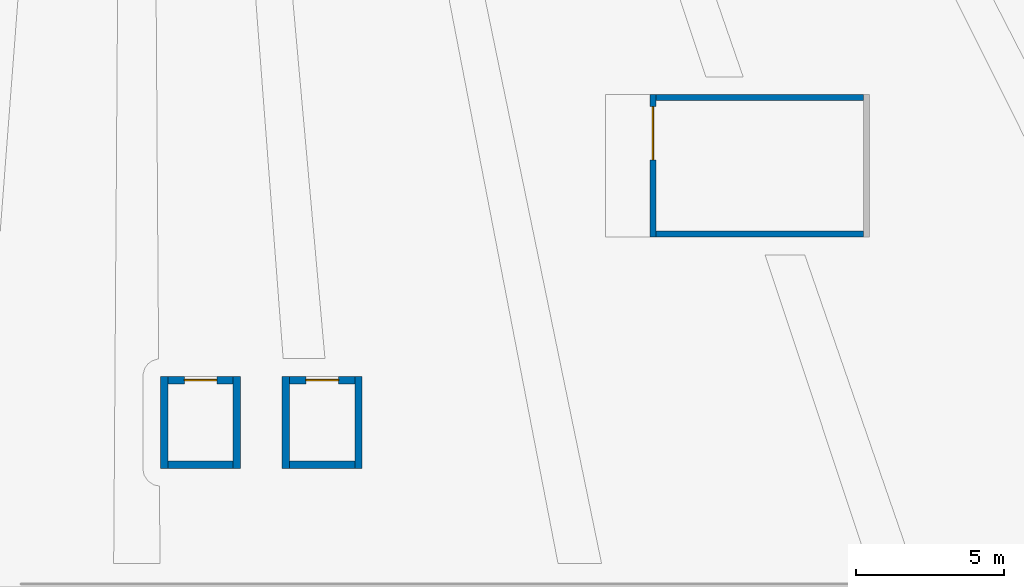
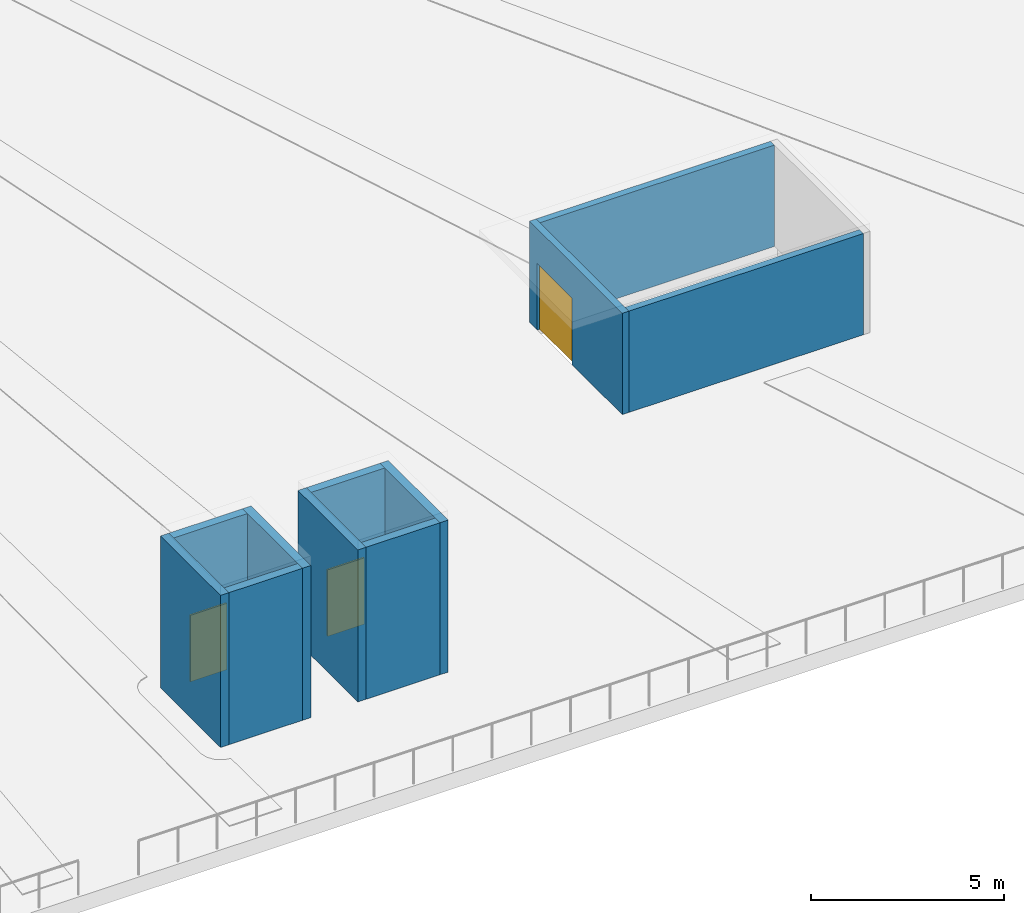
# One storey, part 102 of 210: 11 walls, 3 doors, 3 openings.
"""IFC4 building model written with IfcOpenShell, lengths in metres."""

from ifc_helpers import new_model, si_unit, direction, frame, frame_2d, origin, place, context, subcontext, project, spatial, rectangle, extrude, material, layer, layer_set, type_object, element, fill, save


model = new_model("IFC4")

# Units and contexts
model_context = context("Model", 3, precision=1e-05, world=origin(), true_north=direction((0.0, 1.0)))
body_context = subcontext(model_context, "Body", "Model", "MODEL_VIEW")
ifc_project = project(units=[si_unit("LENGTHUNIT", "METRE"), si_unit("AREAUNIT", "SQUARE_METRE"), si_unit("VOLUMEUNIT", "CUBIC_METRE"), si_unit("PLANEANGLEUNIT", "RADIAN"), si_unit("MASSUNIT", "GRAM", prefix="KILO")], contexts=[model_context])

# Site, building, storey
site_placement = place(None, origin())
site = spatial("IfcSite", under=ifc_project, at=site_placement, CompositionType="ELEMENT")
building_placement = place(site_placement, origin())
building = spatial("IfcBuilding", under=site, at=building_placement, Name="Rain Tree Exposition and Congress Centre", CompositionType="ELEMENT")
storey_placement = place(building_placement, origin())
storey = spatial("IfcBuildingStorey", under=building, at=storey_placement, Name="L00", CompositionType="ELEMENT", Elevation=0.0)

# Wall, opening, door
ifc_material_1 = material(Name="Concrete C40/50", Category="concrete")
ifc_layer_1 = layer(ifc_material_1, 0.199951171875)
ifc_layer_set_1 = layer_set([ifc_layer_1], Name="Concrete C40/50")
wall_type_1 = type_object("IfcWallType", Name="Exit stair wall 200", PredefinedType="PARTITIONING", material=ifc_layer_set_1)
wall_1_placement = place(storey_placement, frame((118.199951171875, 11.800048828125, 0.0), z_axis=(0.0, 0.0, 1.0), x_axis=(0.0, 1.0, 0.0)))
wall_1 = element("IfcWall", 1, at=wall_1_placement, inside=storey, type_object=wall_type_1, Name="Exit stair E2 wall west", PredefinedType="SOLIDWALL", context=body_context, shape_type="SweptSolid", body=[
    extrude(rectangle(XDim=4.800048828125, YDim=0.199951171875, at=frame_2d((2.39990234375, 0.0))), origin(), (0.0, 0.0, 1.0), 3.199951171875),
])
opening_1_placement = place(wall_1_placement, frame((2.60009765625, 0.0, 0.0)))
opening_1 = element("IfcOpeningElement", 2, at=opening_1_placement, cuts=wall_1, Name="Opening DS132", PredefinedType="OPENING", context=body_context, shape_type="SweptSolid", body=[
    extrude(rectangle(XDim=1.800048828125, YDim=2.10009765625, at=frame_2d((0.89990234375, 1.050048828125))), frame((0.0, 0.10009765625, 0.0), z_axis=(0.0, -1.0, 0.0), x_axis=(1.0, 0.0, 0.0)), (0.0, 0.0, 1.0), 0.199951171875),
])
ifc_material_2 = material(Name="Powder-coated steel", Category="steel")
door_type_1 = type_object("IfcDoorType", Name="Exit stair deck door 1800x2100", OperationType="NOTDEFINED", PredefinedType="DOOR", material=ifc_material_2)
door_1_placement = place(opening_1_placement, origin())
door_1 = element("IfcDoor", 3, at=door_1_placement, inside=storey, type_object=door_type_1, Name="Exit stair E2 door L00", OperationType="SINGLE_SWING_LEFT", OverallHeight=2.10009765625, OverallWidth=1.800048828125, PredefinedType="DOOR", context=body_context, shape_type="SweptSolid", body=[
    extrude(rectangle(XDim=1.800048828125, YDim=2.10009765625, at=frame_2d((0.89990234375, 1.050048828125))), frame((0.0, 0.02490234375, 0.0), z_axis=(0.0, -1.0, 0.0), x_axis=(1.0, 0.0, 0.0)), (0.0, 0.0, 1.0), 0.050048828125),
])
fill(opening_1, door_1)

# Walls
for number, where, z_axis, x_axis, name in (
    (4, (118.300048828125, 11.89990234375, 0.0), (0.0, 0.0, 1.0), (1.0, 0.0, 0.0), "Exit stair E2 wall south"),
    (5, (118.300048828125, 16.5, 0.0), (0.0, 0.0, 1.0), (1.0, 0.0, 0.0), "Exit stair E2 wall north"),
):
    element("IfcWall", number, at=place(storey_placement, frame(where, z_axis=z_axis, x_axis=x_axis)), inside=storey, type_object=wall_type_1, Name=name, PredefinedType="SOLIDWALL", context=body_context, shape_type="SweptSolid", body=[
        extrude(rectangle(XDim=7.0, YDim=0.199951171875, at=frame_2d((3.5, 0.0))), origin(), (0.0, 0.0, 1.0), 3.199951171875),
    ])
ifc_material_3 = material(Name="Concrete C40/50", Category="concrete")
ifc_layer_2 = layer(ifc_material_3, 0.25)
ifc_layer_set_2 = layer_set([ifc_layer_2], Name="Concrete C40/50")
wall_type_2 = type_object("IfcWallType", Name="Lift shaft wall 250", PredefinedType="SHEAR", material=ifc_layer_set_2)
for number, where, z_axis, x_axis, name in (
    (6, (101.72509765625, 4.0, 0.0), (0.0, 0.0, 1.0), (0.0, 1.0, 0.0), "Lift S1 shaft wall west"),
    (7, (104.175048828125, 4.0, 0.0), (0.0, 0.0, 1.0), (0.0, 1.0, 0.0), "Lift S1 shaft wall east"),
):
    element("IfcWall", number, at=place(storey_placement, frame(where, z_axis=z_axis, x_axis=x_axis)), inside=storey, type_object=wall_type_2, Name=name, PredefinedType="SHEAR", context=body_context, shape_type="SweptSolid", body=[
        extrude(rectangle(XDim=3.10009765625, YDim=0.25, at=frame_2d((1.550048828125, 0.0))), origin(), (0.0, 0.0, 1.0), 4.800048828125),
    ])
wall_2_placement = place(storey_placement, frame((101.85009765625, 4.125, 0.0), z_axis=(0.0, 0.0, 1.0), x_axis=(1.0, 0.0, 0.0)))
element("IfcWall", 8, at=wall_2_placement, inside=storey, type_object=wall_type_2, Name="Lift S1 shaft wall south", PredefinedType="SHEAR", context=body_context, shape_type="SweptSolid", body=[
    extrude(rectangle(XDim=2.199951171875, YDim=0.25, at=frame_2d((1.10009765625, 0.0))), origin(), (0.0, 0.0, 1.0), 4.800048828125),
])

# Wall, opening, door
wall_3_placement = place(storey_placement, frame((101.85009765625, 6.97509765625, 0.0), z_axis=(0.0, 0.0, 1.0), x_axis=(1.0, 0.0, 0.0)))
wall_3 = element("IfcWall", 9, at=wall_3_placement, inside=storey, type_object=wall_type_2, Name="Lift S1 shaft wall north", PredefinedType="SHEAR", context=body_context, shape_type="SweptSolid", body=[
    extrude(rectangle(XDim=2.199951171875, YDim=0.25, at=frame_2d((1.10009765625, 0.0))), origin(), (0.0, 0.0, 1.0), 4.800048828125),
])
opening_2_placement = place(wall_3_placement, frame((0.550048828125, 0.0, 0.0)))
opening_2 = element("IfcOpeningElement", 10, at=opening_2_placement, cuts=wall_3, Name="Opening DS102", PredefinedType="OPENING", context=body_context, shape_type="SweptSolid", body=[
    extrude(rectangle(XDim=1.10009765625, YDim=2.10009765625, at=frame_2d((0.550048828125, 1.050048828125))), frame((0.0, 0.125, 0.0), z_axis=(0.0, -1.0, 0.0), x_axis=(1.0, 0.0, 0.0)), (0.0, 0.0, 1.0), 0.25),
])
ifc_material_4 = material(Name="Stainless steel", Category="steel")
door_type_2 = type_object("IfcDoorType", Name="Lift landing door 1100x2100", OperationType="DOUBLE_DOOR_SLIDING", PredefinedType="DOOR", material=ifc_material_4)
door_2_placement = place(opening_2_placement, origin())
door_2 = element("IfcDoor", 11, at=door_2_placement, inside=storey, type_object=door_type_2, Name="Landing door S1 L00", OperationType="DOUBLE_DOOR_SLIDING", OverallHeight=2.10009765625, OverallWidth=1.10009765625, PredefinedType="DOOR", context=body_context, shape_type="SweptSolid", body=[
    extrude(rectangle(XDim=1.10009765625, YDim=2.10009765625, at=frame_2d((0.550048828125, 1.050048828125))), frame((0.0, 0.02490234375, 0.0), z_axis=(0.0, -1.0, 0.0), x_axis=(1.0, 0.0, 0.0)), (0.0, 0.0, 1.0), 0.050048828125),
])
fill(opening_2, door_2)

# Walls
for number, where, z_axis, x_axis, name in (
    (12, (105.824951171875, 4.0, 0.0), (0.0, 0.0, 1.0), (0.0, 1.0, 0.0), "Lift S2 shaft wall west"),
    (13, (108.27490234375, 4.0, 0.0), (0.0, 0.0, 1.0), (0.0, 1.0, 0.0), "Lift S2 shaft wall east"),
):
    element("IfcWall", number, at=place(storey_placement, frame(where, z_axis=z_axis, x_axis=x_axis)), inside=storey, type_object=wall_type_2, Name=name, PredefinedType="SHEAR", context=body_context, shape_type="SweptSolid", body=[
        extrude(rectangle(XDim=3.10009765625, YDim=0.25, at=frame_2d((1.550048828125, 0.0))), origin(), (0.0, 0.0, 1.0), 4.800048828125),
    ])
wall_4_placement = place(storey_placement, frame((105.949951171875, 4.125, 0.0), z_axis=(0.0, 0.0, 1.0), x_axis=(1.0, 0.0, 0.0)))
element("IfcWall", 14, at=wall_4_placement, inside=storey, type_object=wall_type_2, Name="Lift S2 shaft wall south", PredefinedType="SHEAR", context=body_context, shape_type="SweptSolid", body=[
    extrude(rectangle(XDim=2.199951171875, YDim=0.25, at=frame_2d((1.10009765625, 0.0))), origin(), (0.0, 0.0, 1.0), 4.800048828125),
])

# Wall, opening, door
wall_5_placement = place(storey_placement, frame((105.949951171875, 6.97509765625, 0.0), z_axis=(0.0, 0.0, 1.0), x_axis=(1.0, 0.0, 0.0)))
wall_5 = element("IfcWall", 15, at=wall_5_placement, inside=storey, type_object=wall_type_2, Name="Lift S2 shaft wall north", PredefinedType="SHEAR", context=body_context, shape_type="SweptSolid", body=[
    extrude(rectangle(XDim=2.199951171875, YDim=0.25, at=frame_2d((1.10009765625, 0.0))), origin(), (0.0, 0.0, 1.0), 4.800048828125),
])
opening_3_placement = place(wall_5_placement, frame((0.550048828125, 0.0, 0.0)))
opening_3 = element("IfcOpeningElement", 16, at=opening_3_placement, cuts=wall_5, Name="Opening DS104", PredefinedType="OPENING", context=body_context, shape_type="SweptSolid", body=[
    extrude(rectangle(XDim=1.10009765625, YDim=2.10009765625, at=frame_2d((0.550048828125, 1.050048828125))), frame((0.0, 0.125, 0.0), z_axis=(0.0, -1.0, 0.0), x_axis=(1.0, 0.0, 0.0)), (0.0, 0.0, 1.0), 0.25),
])
door_3_placement = place(opening_3_placement, origin())
door_3 = element("IfcDoor", 17, at=door_3_placement, inside=storey, type_object=door_type_2, Name="Landing door S2 L00", OperationType="DOUBLE_DOOR_SLIDING", OverallHeight=2.10009765625, OverallWidth=1.10009765625, PredefinedType="DOOR", context=body_context, shape_type="SweptSolid", body=[
    extrude(rectangle(XDim=1.10009765625, YDim=2.10009765625, at=frame_2d((0.550048828125, 1.050048828125))), frame((0.0, 0.02490234375, 0.0), z_axis=(0.0, -1.0, 0.0), x_axis=(1.0, 0.0, 0.0)), (0.0, 0.0, 1.0), 0.050048828125),
])
fill(opening_3, door_3)

save(model, "model.ifc")
